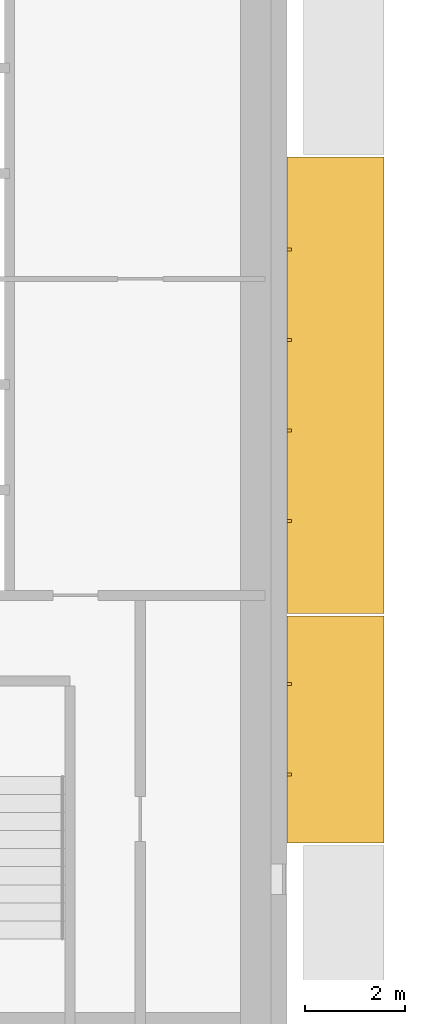
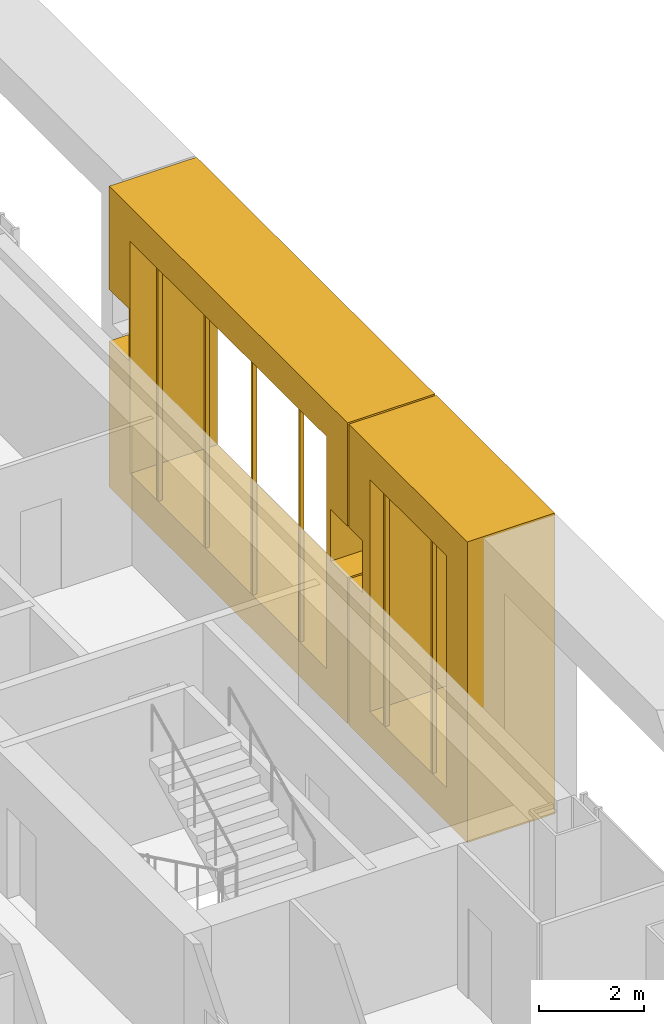
# One storey, part 23 of 25: 8 coverings.
"""IFC4 building model written with IfcOpenShell, lengths in metres."""

from ifc_helpers import new_model, si_unit, direction, frame, origin, origin_2d, place, context, subcontext, project, spatial, polyline, rectangle, outline, extrude, material, type_object, element, save


model = new_model("IFC4")

# Units and contexts
model_context = context("Model", 3, precision=1e-05, world=origin(), true_north=direction((0.0, 1.0)))
body_context = subcontext(model_context, "Body", "Model", "MODEL_VIEW")
ifc_project = project(units=[si_unit("LENGTHUNIT", "METRE"), si_unit("AREAUNIT", "SQUARE_METRE"), si_unit("VOLUMEUNIT", "CUBIC_METRE"), si_unit("PLANEANGLEUNIT", "RADIAN"), si_unit("MASSUNIT", "GRAM", prefix="KILO")], contexts=[model_context])

# Site, building, storey
site_placement = place(None, origin())
site = spatial("IfcSite", under=ifc_project, at=site_placement, CompositionType="ELEMENT")
building_placement = place(site_placement, origin())
building = spatial("IfcBuilding", under=site, at=building_placement, Name="Cobrizo Arcos Hotel Tower", CompositionType="ELEMENT")
storey_placement = place(building_placement, frame((0.0, 0.0, 53.0)))
storey = spatial("IfcBuildingStorey", under=building, at=storey_placement, Name="L11", CompositionType="ELEMENT", Elevation=53.0)

# Coverings
ifc_material_1 = material(Name="Aluminium 6063-T6 anodised bronze", Category="aluminium")
covering_type_1 = type_object("IfcCoveringType", Name="FIN-F 1925", PredefinedType="CLADDING", material=ifc_material_1)
covering_1_placement = place(storey_placement, frame((24.324951171875, -6.824951171875, 0.0), z_axis=(1.0, 0.0, 0.0), x_axis=(0.0, 1.0, 0.0)))
element("IfcCovering", 1, at=covering_1_placement, inside=storey, type_object=covering_type_1, Name="Fin frame 29", PredefinedType="CLADDING", context=body_context, shape_type="SweptSolid", body=[
    extrude(outline(polyline([(4.5166015625, 0.0), (4.5166015625, 3.39794921875), (4.000732421875, 3.39794921875), (4.000732421875, 4.60205078125), (4.5166015625, 4.60205078125), (4.5166015625, 7.0), (0.0, 7.0), (0.0, 0.0), (4.5166015625, 0.0)]), holes=[polyline([(3.716796875, 0.800048828125), (0.800048828125, 0.800048828125), (0.800048828125, 6.199951171875), (3.716796875, 6.199951171875), (3.716796875, 0.800048828125)])]), origin(), (0.0, 0.0, 1.0), 1.925048828125),
])
covering_2_placement = place(storey_placement, frame((24.324951171875, -2.25830078125, 0.0), z_axis=(1.0, 0.0, 0.0), x_axis=(0.0, 1.0, 0.0)))
element("IfcCovering", 2, at=covering_2_placement, inside=storey, type_object=covering_type_1, Name="Fin frame 30", PredefinedType="CLADDING", context=body_context, shape_type="SweptSolid", body=[
    extrude(outline(polyline([(9.083251953125, 0.0), (9.083251953125, 3.39794921875), (8.322998046875, 3.39794921875), (8.322998046875, 4.60205078125), (9.083251953125, 4.60205078125), (9.083251953125, 7.0), (0.0, 7.0), (0.0, 4.60205078125), (0.63818359375, 4.60205078125), (0.63818359375, 3.39794921875), (0.0, 3.39794921875), (0.0, 0.0), (9.083251953125, 0.0)]), holes=[polyline([(8.283203125, 0.800048828125), (0.800048828125, 0.800048828125), (0.800048828125, 6.199951171875), (8.283203125, 6.199951171875), (8.283203125, 0.800048828125)])]), origin(), (0.0, 0.0, 1.0), 1.925048828125),
])
ifc_material_2 = material(Name="Aluminium 6063-T6 anodised pale", Category="aluminium")
covering_type_2 = type_object("IfcCoveringType", Name="RS-1 rainscreen rib 60x90", PredefinedType="CLADDING", material=ifc_material_2)
for number, where, z_axis, x_axis, name in (
    (3, (24.3701171875, -5.466552734375, 0.800048828125), (0.0, 0.0, 1.0), (0.0, 1.0, 0.0), "Rainscreen rib 99"),
    (4, (24.3701171875, -3.666748046875, 0.800048828125), (0.0, 0.0, 1.0), (0.0, 1.0, 0.0), "Rainscreen rib 100"),
    (5, (24.3701171875, -0.416748046875, 0.800048828125), (0.0, 0.0, 1.0), (0.0, 1.0, 0.0), "Rainscreen rib 101"),
    (6, (24.3701171875, 1.38330078125, 0.800048828125), (0.0, 0.0, 1.0), (0.0, 1.0, 0.0), "Rainscreen rib 102"),
    (7, (24.3701171875, 3.183349609375, 0.800048828125), (0.0, 0.0, 1.0), (0.0, 1.0, 0.0), "Rainscreen rib 103"),
    (8, (24.3701171875, 4.9833984375, 0.800048828125), (0.0, 0.0, 1.0), (0.0, 1.0, 0.0), "Rainscreen rib 104"),
):
    element("IfcCovering", number, at=place(storey_placement, frame(where, z_axis=z_axis, x_axis=x_axis)), inside=storey, type_object=covering_type_2, Name=name, PredefinedType="CLADDING", context=body_context, shape_type="SweptSolid", body=[
        extrude(rectangle(XDim=0.06005859375, YDim=0.090087890625, at=origin_2d()), origin(), (0.0, 0.0, 1.0), 5.39990234375),
    ])

save(model, "model.ifc")
